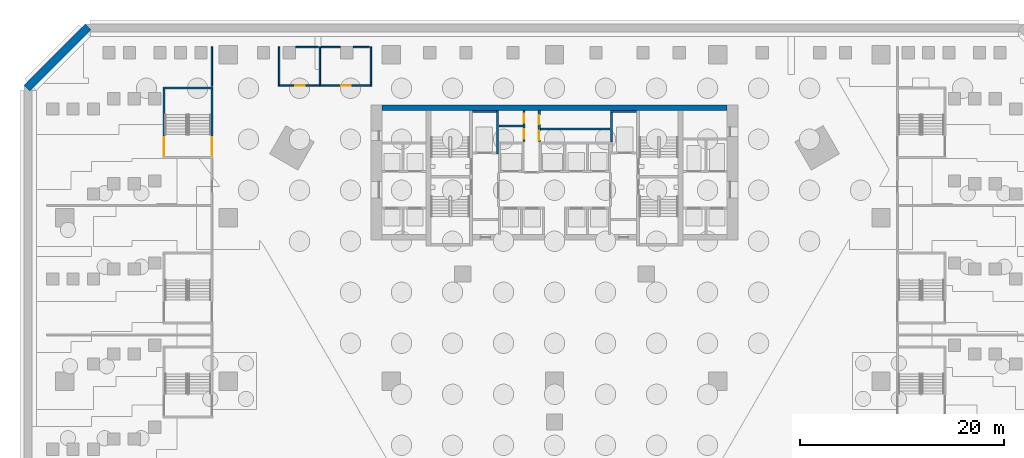
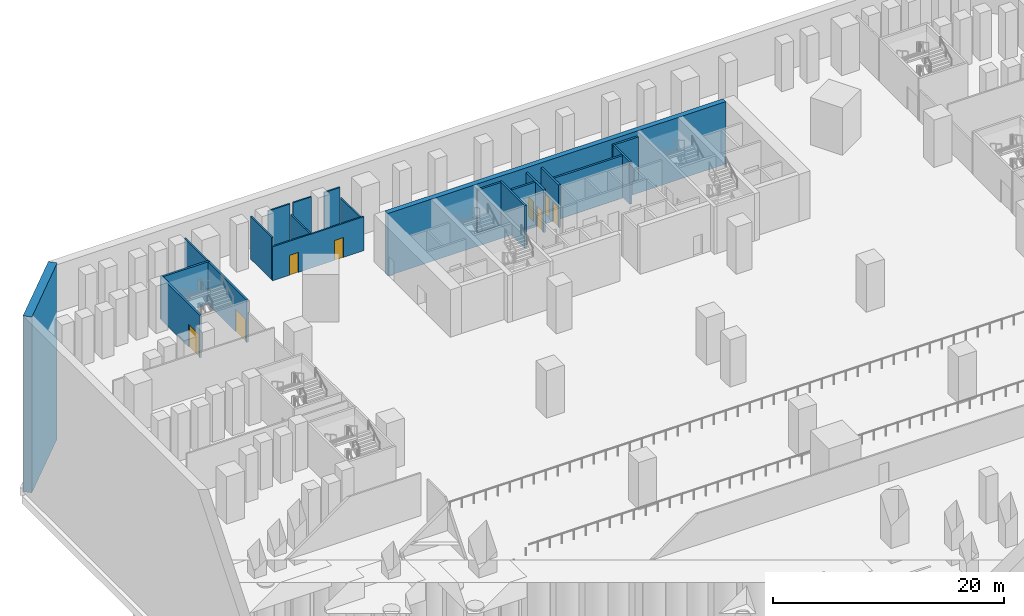
# One storey, part 11 of 27: 21 walls, 8 doors, 8 openings.
"""IFC4 building model written with IfcOpenShell, lengths in metres."""

from ifc_helpers import new_model, si_unit, direction, frame, frame_2d, origin, place, context, subcontext, project, spatial, rectangle, extrude, material, layer, layer_set, type_object, element, fill, save


model = new_model("IFC4")

# Units and contexts
model_context = context("Model", 3, precision=1e-05, world=origin(), true_north=direction((0.0, 1.0)))
body_context = subcontext(model_context, "Body", "Model", "MODEL_VIEW")
ifc_project = project(units=[si_unit("LENGTHUNIT", "METRE"), si_unit("AREAUNIT", "SQUARE_METRE"), si_unit("VOLUMEUNIT", "CUBIC_METRE"), si_unit("PLANEANGLEUNIT", "RADIAN"), si_unit("MASSUNIT", "GRAM", prefix="KILO")], contexts=[model_context])

# Site, building, storey
site_placement = place(None, origin())
site = spatial("IfcSite", under=ifc_project, at=site_placement, CompositionType="ELEMENT")
building_placement = place(site_placement, origin())
building = spatial("IfcBuilding", under=site, at=building_placement, Name="Calabash Gate Tower", CompositionType="ELEMENT")
storey_placement = place(building_placement, frame((0.0, 0.0, -10.0)))
storey = spatial("IfcBuildingStorey", under=building, at=storey_placement, Name="B2", CompositionType="ELEMENT", Elevation=-10.0)

# Walls
ifc_material_1 = material(Name="Concrete C60/75", Category="concrete")
ifc_layer_1 = layer(ifc_material_1, 0.5)
ifc_layer_set_1 = layer_set([ifc_layer_1], Name="Core wall 500 Concrete C60/75")
wall_type_1 = type_object("IfcWallType", Name="Core wall 500 Concrete C60/75", PredefinedType="SHEAR", material=ifc_layer_set_1)
wall_1_placement = place(storey_placement, frame((-16.89990234375, 18.802490234375, -1.60009765625), z_axis=(0.0, 0.0, 1.0), x_axis=(1.0, 0.0, 0.0)))
element("IfcWall", 1, at=wall_1_placement, inside=storey, type_object=wall_type_1, Name="Core wall B-N B2", PredefinedType="SHEAR", context=body_context, shape_type="SweptSolid", body=[
    extrude(rectangle(XDim=33.7998046875, YDim=0.5, at=frame_2d((16.89990234375, 0.0))), origin(), (0.0, 0.0, 1.0), 6.60009765625),
])
ifc_material_2 = material(Name="Concrete C60/75", Category="concrete")
ifc_layer_2 = layer(ifc_material_2, 0.800048828125)
ifc_layer_set_2 = layer_set([ifc_layer_2], Name="Diaphragm wall 800 Concrete C60/75")
wall_type_2 = type_object("IfcWallType", Name="Diaphragm wall 800 Concrete C60/75", PredefinedType="SHEAR", material=ifc_layer_set_2)
wall_2_placement = place(storey_placement, frame((-45.717041015625, 26.717041015625, -13.60009765625), z_axis=(0.0, 0.0, 1.0), x_axis=(-0.707106781187, -0.707106781187, 0.0)))
element("IfcWall", 2, at=wall_2_placement, inside=storey, type_object=wall_type_2, Name="Diaphragm wall B2", PredefinedType="SHEAR", context=body_context, shape_type="SweptSolid", body=[
    extrude(rectangle(XDim=8.4853515625, YDim=0.800048828125, at=frame_2d((4.24267578125, 0.0))), origin(), (0.0, 0.0, 1.0), 18.60009765625),
])
ifc_material_3 = material(Name="Gypsum board on steel studs, mineral wool", Category="steel")
ifc_layer_3 = layer(ifc_material_3, 0.14990234375)
ifc_layer_set_3 = layer_set([ifc_layer_3], Name="Partition 150 gypsum board")
wall_type_3 = type_object("IfcWallType", Name="Partition 150 gypsum board", PredefinedType="PARTITIONING", material=ifc_layer_set_3)
wall_3_placement = place(storey_placement, frame((-33.60009765625, 20.889892578125, 0.0), z_axis=(0.0, 0.0, 1.0), x_axis=(0.0, 1.0, 0.0)))
element("IfcWall", 3, at=wall_3_placement, inside=storey, type_object=wall_type_3, Name="Partition", PredefinedType="PARTITIONING", context=body_context, shape_type="SweptSolid", body=[
    extrude(rectangle(XDim=3.885009765625, YDim=0.14990234375, at=frame_2d((1.9423828125, 0.0))), origin(), (0.0, 0.0, 1.0), 4.5),
])

# Wall, openings, doors
wall_4_placement = place(storey_placement, frame((-27.074951171875, 21.0, 0.0), z_axis=(0.0, 0.0, 1.0), x_axis=(1.0, 0.0, 0.0)))
wall_4 = element("IfcWall", 4, at=wall_4_placement, inside=storey, type_object=wall_type_3, Name="Partition", PredefinedType="PARTITIONING", context=body_context, shape_type="SweptSolid", body=[
    extrude(rectangle(XDim=9.14990234375, YDim=0.14990234375, at=frame_2d((4.574951171875, 0.0))), origin(), (0.0, 0.0, 1.0), 3.60009765625),
])
opening_1_placement = place(wall_4_placement, frame((1.675048828125, 0.0, 0.0)))
opening_1 = element("IfcOpeningElement", 5, at=opening_1_placement, cuts=wall_4, Name="Opening B2-038", PredefinedType="OPENING", context=body_context, shape_type="SweptSolid", body=[
    extrude(rectangle(XDim=0.89990234375, YDim=2.10009765625, at=frame_2d((0.449951171875, 1.050048828125))), frame((0.0, 0.0849609375, 0.0), z_axis=(0.0, -1.0, 0.0), x_axis=(1.0, 0.0, 0.0)), (0.0, 0.0, 1.0), 0.169921875),
])
opening_2_placement = place(wall_4_placement, frame((6.175048828125, 0.0, 0.0)))
opening_2 = element("IfcOpeningElement", 6, at=opening_2_placement, cuts=wall_4, Name="Opening B2-039", PredefinedType="OPENING", context=body_context, shape_type="SweptSolid", body=[
    extrude(rectangle(XDim=0.89990234375, YDim=2.10009765625, at=frame_2d((0.449951171875, 1.050048828125))), frame((0.0, 0.0849609375, 0.0), z_axis=(0.0, -1.0, 0.0), x_axis=(1.0, 0.0, 0.0)), (0.0, 0.0, 1.0), 0.169921875),
])
ifc_material_4 = material(Name="Steel fire door set with fire-resisting glazing", Category="steel")
door_type_1 = type_object("IfcDoorType", Name="Fire door D13 900x2100 FD30", OperationType="NOTDEFINED", PredefinedType="DOOR", material=ifc_material_4)
door_1_placement = place(opening_1_placement, origin())
door_1 = element("IfcDoor", 7, at=door_1_placement, inside=storey, type_object=door_type_1, Name="Accessible WC door", OperationType="SINGLE_SWING_LEFT", OverallHeight=2.10009765625, OverallWidth=0.89990234375, PredefinedType="DOOR", context=body_context, shape_type="SweptSolid", body=[
    extrude(rectangle(XDim=0.89990234375, YDim=2.10009765625, at=frame_2d((0.449951171875, 1.050048828125))), frame((0.0, 0.02490234375, 0.0), z_axis=(0.0, -1.0, 0.0), x_axis=(1.0, 0.0, 0.0)), (0.0, 0.0, 1.0), 0.050048828125),
])
fill(opening_1, door_1)
door_2_placement = place(opening_2_placement, origin())
door_2 = element("IfcDoor", 8, at=door_2_placement, inside=storey, type_object=door_type_1, Name="Public WC door", OperationType="SINGLE_SWING_RIGHT", OverallHeight=2.10009765625, OverallWidth=0.89990234375, PredefinedType="DOOR", context=body_context, shape_type="SweptSolid", body=[
    extrude(rectangle(XDim=0.89990234375, YDim=2.10009765625, at=frame_2d((0.449951171875, 1.050048828125))), frame((0.0, 0.02490234375, 0.0), z_axis=(0.0, -1.0, 0.0), x_axis=(1.0, 0.0, 0.0)), (0.0, 0.0, 1.0), 0.050048828125),
])
fill(opening_2, door_2)

# Walls
wall_5_placement = place(storey_placement, frame((-27.0, 21.074951171875, 0.0), z_axis=(0.0, 0.0, 1.0), x_axis=(0.0, 1.0, 0.0)))
element("IfcWall", 9, at=wall_5_placement, inside=storey, type_object=wall_type_3, Name="Partition", PredefinedType="PARTITIONING", context=body_context, shape_type="SweptSolid", body=[
    extrude(rectangle(XDim=3.699951171875, YDim=0.14990234375, at=frame_2d((1.85009765625, 0.0))), origin(), (0.0, 0.0, 1.0), 4.5),
])
for number, where, z_axis, x_axis, name in (
    (10, (-23.0, 21.074951171875, 0.0), (0.0, 0.0, 1.0), (0.0, 1.0, 0.0), "Partition"),
    (11, (-18.0, 21.074951171875, 0.0), (0.0, 0.0, 1.0), (0.0, 1.0, 0.0), "Partition"),
):
    element("IfcWall", number, at=place(storey_placement, frame(where, z_axis=z_axis, x_axis=x_axis)), inside=storey, type_object=wall_type_3, Name=name, PredefinedType="PARTITIONING", context=body_context, shape_type="SweptSolid", body=[
        extrude(rectangle(XDim=3.699951171875, YDim=0.14990234375, at=frame_2d((1.85009765625, 0.0))), origin(), (0.0, 0.0, 1.0), 3.300048828125),
    ])
wall_6_placement = place(storey_placement, frame((-25.35205078125, 24.75, 0.0), z_axis=(0.0, 0.0, 1.0), x_axis=(1.0, 0.0, 0.0)))
element("IfcWall", 12, at=wall_6_placement, inside=storey, type_object=wall_type_3, Name="Partition", PredefinedType="PARTITIONING", context=body_context, shape_type="SweptSolid", body=[
    extrude(rectangle(XDim=2.197021484375, YDim=0.14990234375, at=frame_2d((1.0986328125, 0.0))), origin(), (0.0, 0.0, 1.0), 4.5),
])
wall_7_placement = place(storey_placement, frame((-19.721923828125, 24.75, 0.0), z_axis=(0.0, 0.0, 1.0), x_axis=(1.0, 0.0, 0.0)))
element("IfcWall", 13, at=wall_7_placement, inside=storey, type_object=wall_type_3, Name="Partition", PredefinedType="PARTITIONING", context=body_context, shape_type="SweptSolid", body=[
    extrude(rectangle(XDim=1.56689453125, YDim=0.14990234375, at=frame_2d((0.783447265625, 0.0))), origin(), (0.0, 0.0, 1.0), 4.5),
])
wall_8_placement = place(storey_placement, frame((-22.844970703125, 24.75, 0.0), z_axis=(0.0, 0.0, 1.0), x_axis=(1.0, 0.0, 0.0)))
element("IfcWall", 14, at=wall_8_placement, inside=storey, type_object=wall_type_3, Name="Partition", PredefinedType="PARTITIONING", context=body_context, shape_type="SweptSolid", body=[
    extrude(rectangle(XDim=1.822998046875, YDim=0.14990234375, at=frame_2d((0.91162109375, 0.0))), origin(), (0.0, 0.0, 1.0), 4.5),
])
ifc_material_5 = material(Name="Concrete C40/50", Category="concrete")
ifc_layer_4 = layer(ifc_material_5, 0.199951171875)
ifc_layer_set_4 = layer_set([ifc_layer_4], Name="Shaft wall 200 Concrete C40/50")
wall_type_4 = type_object("IfcWallType", Name="Shaft wall 200 Concrete C40/50", PredefinedType="SOLIDWALL", material=ifc_layer_set_4)
wall_9_placement = place(storey_placement, frame((-5.60009765625, 14.252685546875, 0.0), z_axis=(0.0, 0.0, 1.0), x_axis=(0.0, 1.0, 0.0)))
element("IfcWall", 15, at=wall_9_placement, inside=storey, type_object=wall_type_4, Name="Shaft wall", PredefinedType="SOLIDWALL", context=body_context, shape_type="SweptSolid", body=[
    extrude(rectangle(XDim=4.2998046875, YDim=0.199951171875, at=frame_2d((2.14990234375, 0.0))), origin(), (0.0, 0.0, 1.0), 4.5),
])
wall_10_placement = place(storey_placement, frame((5.60009765625, 15.45263671875, 0.0), z_axis=(0.0, 0.0, 1.0), x_axis=(0.0, 1.0, 0.0)))
element("IfcWall", 16, at=wall_10_placement, inside=storey, type_object=wall_type_4, Name="Shaft wall", PredefinedType="SOLIDWALL", context=body_context, shape_type="SweptSolid", body=[
    extrude(rectangle(XDim=2.89990234375, YDim=0.199951171875, at=frame_2d((1.449951171875, 0.0))), origin(), (0.0, 0.0, 1.0), 4.5),
])

# Wall, openings, doors
wall_11_placement = place(storey_placement, frame((-3.0, 15.502685546875, 0.0), z_axis=(0.0, 0.0, 1.0), x_axis=(0.0, 1.0, 0.0)))
wall_11 = element("IfcWall", 17, at=wall_11_placement, inside=storey, type_object=wall_type_4, Name="Shaft wall", PredefinedType="SOLIDWALL", context=body_context, shape_type="SweptSolid", body=[
    extrude(rectangle(XDim=3.0498046875, YDim=0.199951171875, at=frame_2d((1.52490234375, 0.0))), origin(), (0.0, 0.0, 1.0), 4.5),
])
opening_3_placement = place(wall_11_placement, frame((0.27490234375, 0.0, 0.0)))
opening_3 = element("IfcOpeningElement", 18, at=opening_3_placement, cuts=wall_11, Name="Opening B2-008", PredefinedType="OPENING", context=body_context, shape_type="SweptSolid", body=[
    extrude(rectangle(XDim=0.89990234375, YDim=2.10009765625, at=frame_2d((0.449951171875, 1.050048828125))), frame((0.0, 0.10986328125, 0.0), z_axis=(0.0, -1.0, 0.0), x_axis=(1.0, 0.0, 0.0)), (0.0, 0.0, 1.0), 0.219970703125),
])
opening_4_placement = place(wall_11_placement, frame((1.824951171875, 0.0, 0.0)))
opening_4 = element("IfcOpeningElement", 19, at=opening_4_placement, cuts=wall_11, Name="Opening B2-009", PredefinedType="OPENING", context=body_context, shape_type="SweptSolid", body=[
    extrude(rectangle(XDim=0.89990234375, YDim=2.10009765625, at=frame_2d((0.449951171875, 1.050048828125))), frame((0.0, 0.10986328125, 0.0), z_axis=(0.0, -1.0, 0.0), x_axis=(1.0, 0.0, 0.0)), (0.0, 0.0, 1.0), 0.219970703125),
])
ifc_material_6 = material(Name="Steel fire door set with fire-resisting glazing", Category="steel")
door_type_2 = type_object("IfcDoorType", Name="Fire door D06 900x2100 FD60", OperationType="NOTDEFINED", PredefinedType="DOOR", material=ifc_material_6)
door_3_placement = place(opening_3_placement, origin())
door_3 = element("IfcDoor", 20, at=door_3_placement, inside=storey, type_object=door_type_2, Name="Electrical Switch Room door", OperationType="SINGLE_SWING_LEFT", OverallHeight=2.10009765625, OverallWidth=0.89990234375, PredefinedType="DOOR", context=body_context, shape_type="SweptSolid", body=[
    extrude(rectangle(XDim=0.89990234375, YDim=2.10009765625, at=frame_2d((0.449951171875, 1.050048828125))), frame((0.0, 0.02490234375, 0.0), z_axis=(0.0, -1.0, 0.0), x_axis=(1.0, 0.0, 0.0)), (0.0, 0.0, 1.0), 0.050048828125),
])
fill(opening_3, door_3)
door_4_placement = place(opening_4_placement, origin())
door_4 = element("IfcDoor", 21, at=door_4_placement, inside=storey, type_object=door_type_2, Name="HV Transformer Room door", OperationType="SINGLE_SWING_LEFT", OverallHeight=2.10009765625, OverallWidth=0.89990234375, PredefinedType="DOOR", context=body_context, shape_type="SweptSolid", body=[
    extrude(rectangle(XDim=0.89990234375, YDim=2.10009765625, at=frame_2d((0.449951171875, 1.050048828125))), frame((0.0, 0.02490234375, 0.0), z_axis=(0.0, -1.0, 0.0), x_axis=(1.0, 0.0, 0.0)), (0.0, 0.0, 1.0), 0.050048828125),
])
fill(opening_4, door_4)

wall_12_placement = place(storey_placement, frame((-1.5, 15.502685546875, 0.0), z_axis=(0.0, 0.0, 1.0), x_axis=(0.0, 1.0, 0.0)))
wall_12 = element("IfcWall", 22, at=wall_12_placement, inside=storey, type_object=wall_type_4, Name="Shaft wall", PredefinedType="SOLIDWALL", context=body_context, shape_type="SweptSolid", body=[
    extrude(rectangle(XDim=3.0498046875, YDim=0.199951171875, at=frame_2d((1.52490234375, 0.0))), origin(), (0.0, 0.0, 1.0), 4.5),
])
opening_5_placement = place(wall_12_placement, frame((0.1201171875, 0.0, 0.0)))
opening_5 = element("IfcOpeningElement", 23, at=opening_5_placement, cuts=wall_12, Name="Opening B2-010", PredefinedType="OPENING", context=body_context, shape_type="SweptSolid", body=[
    extrude(rectangle(XDim=0.89990234375, YDim=2.10009765625, at=frame_2d((0.449951171875, 1.050048828125))), frame((0.0, 0.10986328125, 0.0), z_axis=(0.0, -1.0, 0.0), x_axis=(1.0, 0.0, 0.0)), (0.0, 0.0, 1.0), 0.219970703125),
])
opening_6_placement = place(wall_12_placement, frame((1.669921875, 0.0, 0.0)))
opening_6 = element("IfcOpeningElement", 24, at=opening_6_placement, cuts=wall_12, Name="Opening B2-011", PredefinedType="OPENING", context=body_context, shape_type="SweptSolid", body=[
    extrude(rectangle(XDim=0.89990234375, YDim=2.10009765625, at=frame_2d((0.449951171875, 1.050048828125))), frame((0.0, 0.10986328125, 0.0), z_axis=(0.0, -1.0, 0.0), x_axis=(1.0, 0.0, 0.0)), (0.0, 0.0, 1.0), 0.219970703125),
])
door_5_placement = place(opening_5_placement, origin())
door_5 = element("IfcDoor", 25, at=door_5_placement, inside=storey, type_object=door_type_2, Name="Chilled Water Plant door", OperationType="SINGLE_SWING_LEFT", OverallHeight=2.10009765625, OverallWidth=0.89990234375, PredefinedType="DOOR", context=body_context, shape_type="SweptSolid", body=[
    extrude(rectangle(XDim=0.89990234375, YDim=2.10009765625, at=frame_2d((0.449951171875, 1.050048828125))), frame((0.0, 0.02490234375, 0.0), z_axis=(0.0, -1.0, 0.0), x_axis=(1.0, 0.0, 0.0)), (0.0, 0.0, 1.0), 0.050048828125),
])
fill(opening_5, door_5)
door_6_placement = place(opening_6_placement, origin())
door_6 = element("IfcDoor", 26, at=door_6_placement, inside=storey, type_object=door_type_2, Name="Mechanical Pump Room door", OperationType="SINGLE_SWING_LEFT", OverallHeight=2.10009765625, OverallWidth=0.89990234375, PredefinedType="DOOR", context=body_context, shape_type="SweptSolid", body=[
    extrude(rectangle(XDim=0.89990234375, YDim=2.10009765625, at=frame_2d((0.449951171875, 1.050048828125))), frame((0.0, 0.02490234375, 0.0), z_axis=(0.0, -1.0, 0.0), x_axis=(1.0, 0.0, 0.0)), (0.0, 0.0, 1.0), 0.050048828125),
])
fill(opening_6, door_6)

# Walls
wall_13_placement = place(storey_placement, frame((-1.39990234375, 16.692626953125, 0.0), z_axis=(0.0, 0.0, 1.0), x_axis=(1.0, 0.0, 0.0)))
element("IfcWall", 27, at=wall_13_placement, inside=storey, type_object=wall_type_4, Name="Shaft wall", PredefinedType="SOLIDWALL", context=body_context, shape_type="SweptSolid", body=[
    extrude(rectangle(XDim=6.849853515625, YDim=0.199951171875, at=frame_2d((3.4248046875, 0.0))), origin(), (0.0, 0.0, 1.0), 4.5),
])
wall_14_placement = place(storey_placement, frame((-5.449951171875, 17.002685546875, 0.0), z_axis=(0.0, 0.0, 1.0), x_axis=(1.0, 0.0, 0.0)))
element("IfcWall", 28, at=wall_14_placement, inside=storey, type_object=wall_type_4, Name="Shaft wall", PredefinedType="SOLIDWALL", context=body_context, shape_type="SweptSolid", body=[
    extrude(rectangle(XDim=2.349853515625, YDim=0.199951171875, at=frame_2d((1.1748046875, 0.0))), origin(), (0.0, 0.0, 1.0), 4.5),
])
wall_15_placement = place(storey_placement, frame((-8.050048828125, 18.45263671875, 0.0), z_axis=(0.0, 0.0, 1.0), x_axis=(1.0, 0.0, 0.0)))
element("IfcWall", 29, at=wall_15_placement, inside=storey, type_object=wall_type_4, Name="Shaft wall", PredefinedType="SOLIDWALL", context=body_context, shape_type="SweptSolid", body=[
    extrude(rectangle(XDim=2.35009765625, YDim=0.199951171875, at=frame_2d((1.175048828125, 0.0))), origin(), (0.0, 0.0, 1.0), 4.5),
])
wall_16_placement = place(storey_placement, frame((5.5, 18.45263671875, 0.0), z_axis=(0.0, 0.0, 1.0), x_axis=(1.0, 0.0, 0.0)))
element("IfcWall", 30, at=wall_16_placement, inside=storey, type_object=wall_type_4, Name="Shaft wall", PredefinedType="SOLIDWALL", context=body_context, shape_type="SweptSolid", body=[
    extrude(rectangle(XDim=2.550048828125, YDim=0.199951171875, at=frame_2d((1.27490234375, 0.0))), origin(), (0.0, 0.0, 1.0), 4.5),
])
ifc_material_7 = material(Name="Concrete C40/50", Category="concrete")
ifc_layer_5 = layer(ifc_material_7, 0.199951171875)
ifc_layer_set_5 = layer_set([ifc_layer_5], Name="Stair wall 200 Concrete C40/50")
wall_type_5 = type_object("IfcWallType", Name="Stair wall 200 Concrete C40/50", PredefinedType="SOLIDWALL", material=ifc_layer_set_5)
wall_17_placement = place(storey_placement, frame((-38.3701171875, 20.75, 0.0), z_axis=(0.0, 0.0, 1.0), x_axis=(1.0, 0.0, 0.0)))
element("IfcWall", 31, at=wall_17_placement, inside=storey, type_object=wall_type_5, Name="Stair wall", PredefinedType="SOLIDWALL", context=body_context, shape_type="SweptSolid", body=[
    extrude(rectangle(XDim=4.8701171875, YDim=0.199951171875, at=frame_2d((2.43505859375, 0.0))), origin(), (0.0, 0.0, 1.0), 4.5),
])

# Wall, opening, door
wall_18_placement = place(storey_placement, frame((-38.27001953125, 14.0, 0.0), z_axis=(0.0, 0.0, 1.0), x_axis=(0.0, 1.0, 0.0)))
wall_18 = element("IfcWall", 32, at=wall_18_placement, inside=storey, type_object=wall_type_5, Name="Stair wall", PredefinedType="SOLIDWALL", context=body_context, shape_type="SweptSolid", body=[
    extrude(rectangle(XDim=6.64990234375, YDim=0.199951171875, at=frame_2d((3.324951171875, 0.0))), origin(), (0.0, 0.0, 1.0), 4.5),
])
opening_7_placement = place(wall_18_placement, frame((0.10009765625, 0.0, 0.0)))
opening_7 = element("IfcOpeningElement", 33, at=opening_7_placement, cuts=wall_18, Name="Opening B2-027", PredefinedType="OPENING", context=body_context, shape_type="SweptSolid", body=[
    extrude(rectangle(XDim=1.800048828125, YDim=2.39990234375, at=frame_2d((0.89990234375, 1.199951171875))), frame((0.0, 0.10986328125, 0.0), z_axis=(0.0, -1.0, 0.0), x_axis=(1.0, 0.0, 0.0)), (0.0, 0.0, 1.0), 0.219970703125),
])
ifc_material_8 = material(Name="Steel fire door set with fire-resisting glazing", Category="steel")
door_type_3 = type_object("IfcDoorType", Name="Double fire door D16 1800x2400 FD90", OperationType="DOUBLE_DOOR_SINGLE_SWING", PredefinedType="DOOR", material=ifc_material_8)
door_7_placement = place(opening_7_placement, origin())
door_7 = element("IfcDoor", 34, at=door_7_placement, inside=storey, type_object=door_type_3, Name="Exit stair door PS5", OperationType="DOUBLE_DOOR_SINGLE_SWING", OverallHeight=2.39990234375, OverallWidth=1.800048828125, PredefinedType="DOOR", context=body_context, shape_type="SweptSolid", body=[
    extrude(rectangle(XDim=1.800048828125, YDim=2.39990234375, at=frame_2d((0.89990234375, 1.199951171875))), frame((0.0, 0.02490234375, 0.0), z_axis=(0.0, -1.0, 0.0), x_axis=(1.0, 0.0, 0.0)), (0.0, 0.0, 1.0), 0.050048828125),
])
fill(opening_7, door_7)

wall_19_placement = place(storey_placement, frame((-33.60009765625, 14.0, 0.0), z_axis=(0.0, 0.0, 1.0), x_axis=(0.0, 1.0, 0.0)))
wall_19 = element("IfcWall", 35, at=wall_19_placement, inside=storey, type_object=wall_type_5, Name="Stair wall", PredefinedType="SOLIDWALL", context=body_context, shape_type="SweptSolid", body=[
    extrude(rectangle(XDim=6.64990234375, YDim=0.199951171875, at=frame_2d((3.324951171875, 0.0))), origin(), (0.0, 0.0, 1.0), 4.5),
])
opening_8_placement = place(wall_19_placement, frame((0.10009765625, 0.0, 0.0)))
opening_8 = element("IfcOpeningElement", 36, at=opening_8_placement, cuts=wall_19, Name="Opening B2-026", PredefinedType="OPENING", context=body_context, shape_type="SweptSolid", body=[
    extrude(rectangle(XDim=1.800048828125, YDim=2.39990234375, at=frame_2d((0.89990234375, 1.199951171875))), frame((0.0, 0.10986328125, 0.0), z_axis=(0.0, -1.0, 0.0), x_axis=(1.0, 0.0, 0.0)), (0.0, 0.0, 1.0), 0.219970703125),
])
door_8_placement = place(opening_8_placement, origin())
door_8 = element("IfcDoor", 37, at=door_8_placement, inside=storey, type_object=door_type_3, Name="Exit stair door PS5", OperationType="DOUBLE_DOOR_SINGLE_SWING", OverallHeight=2.39990234375, OverallWidth=1.800048828125, PredefinedType="DOOR", context=body_context, shape_type="SweptSolid", body=[
    extrude(rectangle(XDim=1.800048828125, YDim=2.39990234375, at=frame_2d((0.89990234375, 1.199951171875))), frame((0.0, 0.02490234375, 0.0), z_axis=(0.0, -1.0, 0.0), x_axis=(1.0, 0.0, 0.0)), (0.0, 0.0, 1.0), 0.050048828125),
])
fill(opening_8, door_8)

save(model, "model.ifc")
